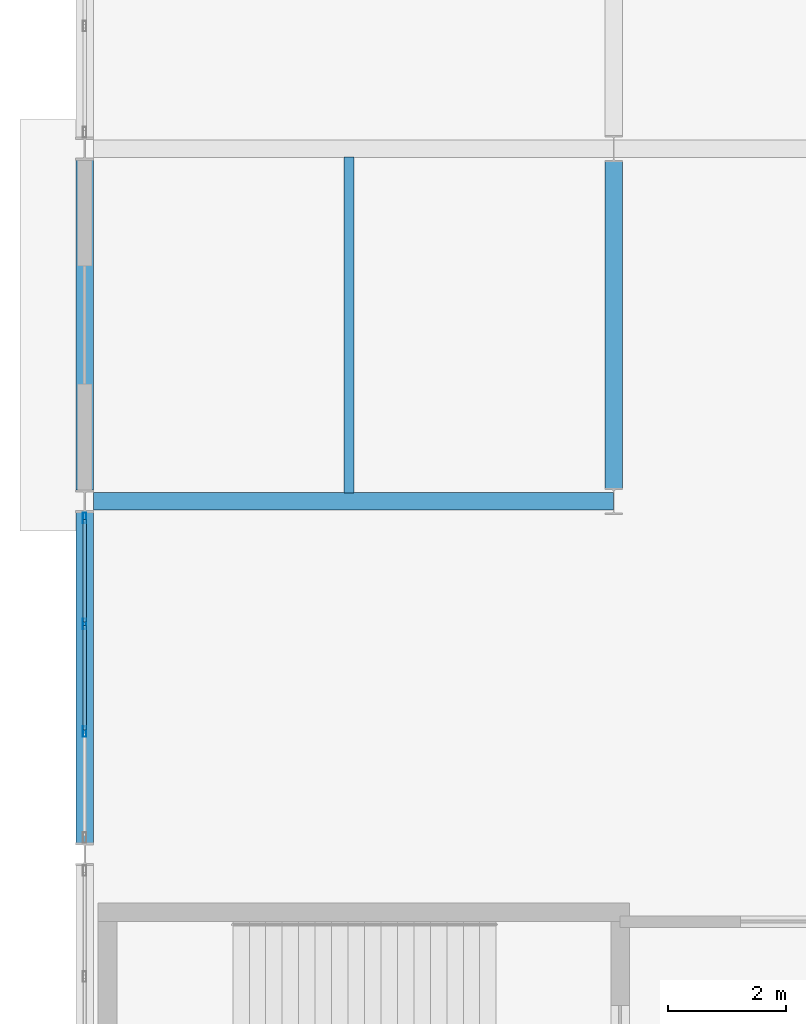
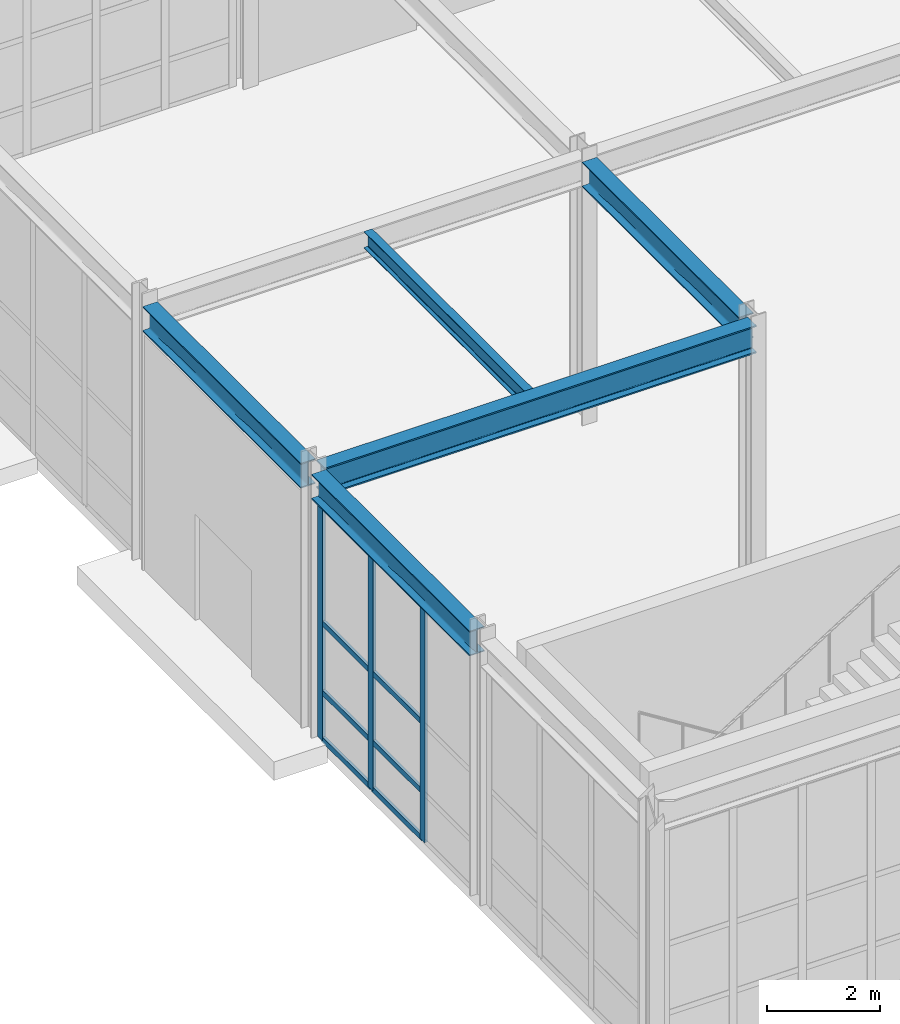
# One storey, part 22 of 146: 11 members, 5 beams, 1 element without a shape of its own.
"""IFC4 building model written with IfcOpenShell, lengths in metres."""

from ifc_helpers import new_model, si_unit, direction, frame, origin, origin_2d, place, context, subcontext, project, spatial, hollow_rectangle, i_section, extrude, material, material_profile, profile_set, type_object, element, aggregate, save


model = new_model("IFC4")

# Units and contexts
model_context = context("Model", 3, precision=1e-05, world=origin(), true_north=direction((0.0, 1.0)))
body_context = subcontext(model_context, "Body", "Model", "MODEL_VIEW")
ifc_project = project(units=[si_unit("LENGTHUNIT", "METRE"), si_unit("AREAUNIT", "SQUARE_METRE"), si_unit("VOLUMEUNIT", "CUBIC_METRE"), si_unit("PLANEANGLEUNIT", "RADIAN"), si_unit("MASSUNIT", "GRAM", prefix="KILO")], contexts=[model_context])

# Site, building, storey
site_placement = place(None, origin())
site = spatial("IfcSite", under=ifc_project, at=site_placement, CompositionType="ELEMENT")
building_placement = place(site_placement, origin())
building = spatial("IfcBuilding", under=site, at=building_placement, Name="Kaldris Quays Convention Centre", CompositionType="ELEMENT")
storey_placement = place(building_placement, origin())
storey = spatial("IfcBuildingStorey", under=building, at=storey_placement, Name="L00", CompositionType="ELEMENT", Elevation=0.0)

# Curtain wall, members
ifc_material_1 = material(Name="Anodized aluminium AW-6060 and triple glazing", Category="aluminium")
curtain_wall_type = type_object("IfcCurtainWallType", Name="UNITISED CURTAIN WALL CW05", PredefinedType="NOTDEFINED", material=ifc_material_1)
curtain_wall_placement = place(storey_placement, origin())
curtain_wall = element("IfcCurtainWall", 1, at=curtain_wall_placement, inside=storey, type_object=curtain_wall_type, Name="L00 Unitised Curtain Wall CW05 53", PredefinedType="NOTDEFINED")
ifc_material_2 = material(Name="Anodized aluminium AW-6060", Category="aluminium")
ifc_material_profile_1 = material_profile(ifc_material_2, hollow_rectangle(XDim=0.06005859375, YDim=0.179931640625, WallThickness=0.0048828125, at=origin_2d()), Name="RHS 180x60x5")
ifc_profile_set_1 = profile_set([ifc_material_profile_1], Name="Anodized aluminium AW-6060")
member_type_1 = type_object("IfcMemberType", Name="CURTAIN MULLION CWM2", PredefinedType="MULLION", material=ifc_profile_set_1)
member_1_placement = place(storey_placement, frame((20.0, 24.083251953125, 0.0), z_axis=(0.0, 0.0, 1.0), x_axis=(-1.0, 0.0, 0.0)))
member_1 = element("IfcMember", 2, at=member_1_placement, type_object=member_type_1, Name="CW05 mullion 2", PredefinedType="MULLION", context=body_context, shape_type="SweptSolid", body=[
    extrude(hollow_rectangle(XDim=0.06005859375, YDim=0.179931640625, WallThickness=0.0048828125, at=origin_2d()), origin(), (0.0, 0.0, 1.0), 5.097900390625),
])
member_2_placement = place(storey_placement, frame((20.0, 25.916748046875, 0.0), z_axis=(0.0, 0.0, 1.0), x_axis=(-1.0, 0.0, 0.0)))
member_2 = element("IfcMember", 3, at=member_2_placement, type_object=member_type_1, Name="CW05 mullion 3", PredefinedType="MULLION", context=body_context, shape_type="SweptSolid", body=[
    extrude(hollow_rectangle(XDim=0.06005859375, YDim=0.179931640625, WallThickness=0.0048828125, at=origin_2d()), origin(), (0.0, 0.0, 1.0), 5.097900390625),
])
member_3_placement = place(storey_placement, frame((20.0, 27.719970703125, 0.0), z_axis=(0.0, 0.0, 1.0), x_axis=(-1.0, 0.0, 0.0)))
member_3 = element("IfcMember", 4, at=member_3_placement, type_object=member_type_1, Name="CW05 mullion 4", PredefinedType="MULLION", context=body_context, shape_type="SweptSolid", body=[
    extrude(hollow_rectangle(XDim=0.06005859375, YDim=0.179931640625, WallThickness=0.0048828125, at=origin_2d()), origin(), (0.0, 0.0, 1.0), 5.097900390625),
])
ifc_material_profile_2 = material_profile(ifc_material_2, hollow_rectangle(XDim=0.06005859375, YDim=0.1201171875, WallThickness=0.00390625, at=origin_2d()), Name="RHS 120x60x4")
ifc_profile_set_2 = profile_set([ifc_material_profile_2], Name="Anodized aluminium AW-6060")
member_type_2 = type_object("IfcMemberType", Name="CURTAIN TRANSOM CWT1", PredefinedType="USERDEFINED", material=ifc_profile_set_2)
member_4_placement = place(storey_placement, frame((20.0, 24.11328125, 0.030029296875), z_axis=(0.0, 1.0, 0.0), x_axis=(-1.0, 0.0, 0.0)))
member_4 = element("IfcMember", 5, at=member_4_placement, type_object=member_type_2, Name="CW05 transom 2.1", ObjectType="TRANSOM", PredefinedType="USERDEFINED", context=body_context, shape_type="SweptSolid", body=[
    extrude(hollow_rectangle(XDim=0.06005859375, YDim=0.1201171875, WallThickness=0.00390625, at=origin_2d()), origin(), (0.0, 0.0, 1.0), 1.7734375),
])
member_5_placement = place(storey_placement, frame((20.0, 24.11328125, 1.050048828125), z_axis=(0.0, 1.0, 0.0), x_axis=(-1.0, 0.0, 0.0)))
member_5 = element("IfcMember", 6, at=member_5_placement, type_object=member_type_2, Name="CW05 transom 2.2", ObjectType="TRANSOM", PredefinedType="USERDEFINED", context=body_context, shape_type="SweptSolid", body=[
    extrude(hollow_rectangle(XDim=0.06005859375, YDim=0.1201171875, WallThickness=0.00390625, at=origin_2d()), origin(), (0.0, 0.0, 1.0), 1.7734375),
])
member_6_placement = place(storey_placement, frame((20.0, 24.11328125, 2.549072265625), z_axis=(0.0, 1.0, 0.0), x_axis=(-1.0, 0.0, 0.0)))
member_6 = element("IfcMember", 7, at=member_6_placement, type_object=member_type_2, Name="CW05 transom 2.3", ObjectType="TRANSOM", PredefinedType="USERDEFINED", context=body_context, shape_type="SweptSolid", body=[
    extrude(hollow_rectangle(XDim=0.06005859375, YDim=0.1201171875, WallThickness=0.00390625, at=origin_2d()), origin(), (0.0, 0.0, 1.0), 1.7734375),
])
member_7_placement = place(storey_placement, frame((20.0, 24.11328125, 5.068115234375), z_axis=(0.0, 1.0, 0.0), x_axis=(-1.0, 0.0, 0.0)))
member_7 = element("IfcMember", 8, at=member_7_placement, type_object=member_type_2, Name="CW05 transom 2.4", ObjectType="TRANSOM", PredefinedType="USERDEFINED", context=body_context, shape_type="SweptSolid", body=[
    extrude(hollow_rectangle(XDim=0.06005859375, YDim=0.1201171875, WallThickness=0.00390625, at=origin_2d()), origin(), (0.0, 0.0, 1.0), 1.7734375),
])
member_8_placement = place(storey_placement, frame((20.0, 25.94677734375, 0.030029296875), z_axis=(0.0, 1.0, 0.0), x_axis=(-1.0, 0.0, 0.0)))
member_8 = element("IfcMember", 9, at=member_8_placement, type_object=member_type_2, Name="CW05 transom 3.1", ObjectType="TRANSOM", PredefinedType="USERDEFINED", context=body_context, shape_type="SweptSolid", body=[
    extrude(hollow_rectangle(XDim=0.06005859375, YDim=0.1201171875, WallThickness=0.00390625, at=origin_2d()), origin(), (0.0, 0.0, 1.0), 1.7431640625),
])
member_9_placement = place(storey_placement, frame((20.0, 25.94677734375, 1.050048828125), z_axis=(0.0, 1.0, 0.0), x_axis=(-1.0, 0.0, 0.0)))
member_9 = element("IfcMember", 10, at=member_9_placement, type_object=member_type_2, Name="CW05 transom 3.2", ObjectType="TRANSOM", PredefinedType="USERDEFINED", context=body_context, shape_type="SweptSolid", body=[
    extrude(hollow_rectangle(XDim=0.06005859375, YDim=0.1201171875, WallThickness=0.00390625, at=origin_2d()), origin(), (0.0, 0.0, 1.0), 1.7431640625),
])
member_10_placement = place(storey_placement, frame((20.0, 25.94677734375, 2.549072265625), z_axis=(0.0, 1.0, 0.0), x_axis=(-1.0, 0.0, 0.0)))
member_10 = element("IfcMember", 11, at=member_10_placement, type_object=member_type_2, Name="CW05 transom 3.3", ObjectType="TRANSOM", PredefinedType="USERDEFINED", context=body_context, shape_type="SweptSolid", body=[
    extrude(hollow_rectangle(XDim=0.06005859375, YDim=0.1201171875, WallThickness=0.00390625, at=origin_2d()), origin(), (0.0, 0.0, 1.0), 1.7431640625),
])
member_11_placement = place(storey_placement, frame((20.0, 25.94677734375, 5.068115234375), z_axis=(0.0, 1.0, 0.0), x_axis=(-1.0, 0.0, 0.0)))
member_11 = element("IfcMember", 12, at=member_11_placement, type_object=member_type_2, Name="CW05 transom 3.4", ObjectType="TRANSOM", PredefinedType="USERDEFINED", context=body_context, shape_type="SweptSolid", body=[
    extrude(hollow_rectangle(XDim=0.06005859375, YDim=0.1201171875, WallThickness=0.00390625, at=origin_2d()), origin(), (0.0, 0.0, 1.0), 1.7431640625),
])
aggregate(curtain_wall, [member_1, member_2, member_3, member_4, member_5, member_6, member_7, member_8, member_9, member_10, member_11])

# Beams
ifc_material_3 = material(Name="Steel S355J2", Category="steel")
ifc_material_profile_3 = material_profile(ifc_material_3, i_section(OverallWidth=0.300048828125, OverallDepth=0.60009765625, WebThickness=0.015380859375, FlangeThickness=0.030029296875, FilletRadius=0.027099609375, at=origin_2d()), Name="HEB 600")
ifc_profile_set_3 = profile_set([ifc_material_profile_3], Name="Steel S355J2")
beam_type_1 = type_object("IfcBeamType", Name="STRUCTURAL BEAM BM05", PredefinedType="BEAM", material=ifc_profile_set_3)
beam_1_placement = place(storey_placement, frame((20.14794921875, 28.0, 5.423095703125), z_axis=(1.0, 0.0, 0.0), x_axis=(0.0, 1.0, 0.0)))
element("IfcBeam", 13, at=beam_1_placement, inside=storey, type_object=beam_type_1, Name="L00 Girder BM05 8", PredefinedType="BEAM", context=body_context, shape_type="SweptSolid", body=[
    extrude(i_section(OverallWidth=0.300048828125, OverallDepth=0.60009765625, WebThickness=0.015380859375, FlangeThickness=0.030029296875, FilletRadius=0.027099609375, at=origin_2d()), origin(), (0.0, 0.0, 1.0), 8.85107421875),
])
ifc_material_profile_4 = material_profile(ifc_material_3, i_section(OverallWidth=0.300048828125, OverallDepth=0.5400390625, WebThickness=0.012451171875, FlangeThickness=0.02392578125, FilletRadius=0.027099609375, at=origin_2d()), Name="HEA 550")
ifc_profile_set_4 = profile_set([ifc_material_profile_4], Name="Steel S355J2")
beam_type_2 = type_object("IfcBeamType", Name="STRUCTURAL BEAM BM13", PredefinedType="BEAM", material=ifc_profile_set_4)
for number, where, z_axis, x_axis, name in (
    (14, (20.0, 22.19140625, 5.452880859375), (0.0, 1.0, 0.0), (-1.0, 0.0, 0.0), "L00 Girder BM13 28"),
    (15, (20.0, 28.19140625, 5.452880859375), (0.0, 1.0, 0.0), (-1.0, 0.0, 0.0), "L00 Girder BM13 29"),
):
    element("IfcBeam", number, at=place(storey_placement, frame(where, z_axis=z_axis, x_axis=x_axis)), inside=storey, type_object=beam_type_2, Name=name, PredefinedType="BEAM", context=body_context, shape_type="SweptSolid", body=[
        extrude(i_section(OverallWidth=0.300048828125, OverallDepth=0.5400390625, WebThickness=0.012451171875, FlangeThickness=0.02392578125, FilletRadius=0.027099609375, at=origin_2d()), origin(), (0.0, 0.0, 1.0), 5.6171875),
    ])
beam_2_placement = place(storey_placement, frame((29.0, 28.218994140625, 5.452880859375), z_axis=(0.0, 1.0, 0.0), x_axis=(-1.0, 0.0, 0.0)))
element("IfcBeam", 16, at=beam_2_placement, inside=storey, type_object=beam_type_2, Name="L00 Girder BM13 32", PredefinedType="BEAM", context=body_context, shape_type="SweptSolid", body=[
    extrude(i_section(OverallWidth=0.300048828125, OverallDepth=0.5400390625, WebThickness=0.012451171875, FlangeThickness=0.02392578125, FilletRadius=0.027099609375, at=origin_2d()), origin(), (0.0, 0.0, 1.0), 5.56201171875),
])
ifc_material_profile_5 = material_profile(ifc_material_3, i_section(OverallWidth=0.169921875, OverallDepth=0.360107421875, WebThickness=0.008056640625, FlangeThickness=0.0126953125, FilletRadius=0.01806640625, at=origin_2d()), Name="IPE 360")
ifc_profile_set_5 = profile_set([ifc_material_profile_5], Name="Steel S355J2")
beam_type_3 = type_object("IfcBeamType", Name="STRUCTURAL BEAM JT03", PredefinedType="JOIST", material=ifc_profile_set_5)
beam_3_placement = place(storey_placement, frame((24.5, 28.14404296875, 5.54296875), z_axis=(0.0, 1.0, 0.0), x_axis=(-1.0, 0.0, 0.0)))
element("IfcBeam", 17, at=beam_3_placement, inside=storey, type_object=beam_type_3, Name="L00 Secondary Joist JT03 3", PredefinedType="JOIST", context=body_context, shape_type="SweptSolid", body=[
    extrude(i_section(OverallWidth=0.169921875, OverallDepth=0.360107421875, WebThickness=0.008056640625, FlangeThickness=0.0126953125, FilletRadius=0.01806640625, at=origin_2d()), origin(), (0.0, 0.0, 1.0), 5.7119140625),
])

save(model, "model.ifc")
